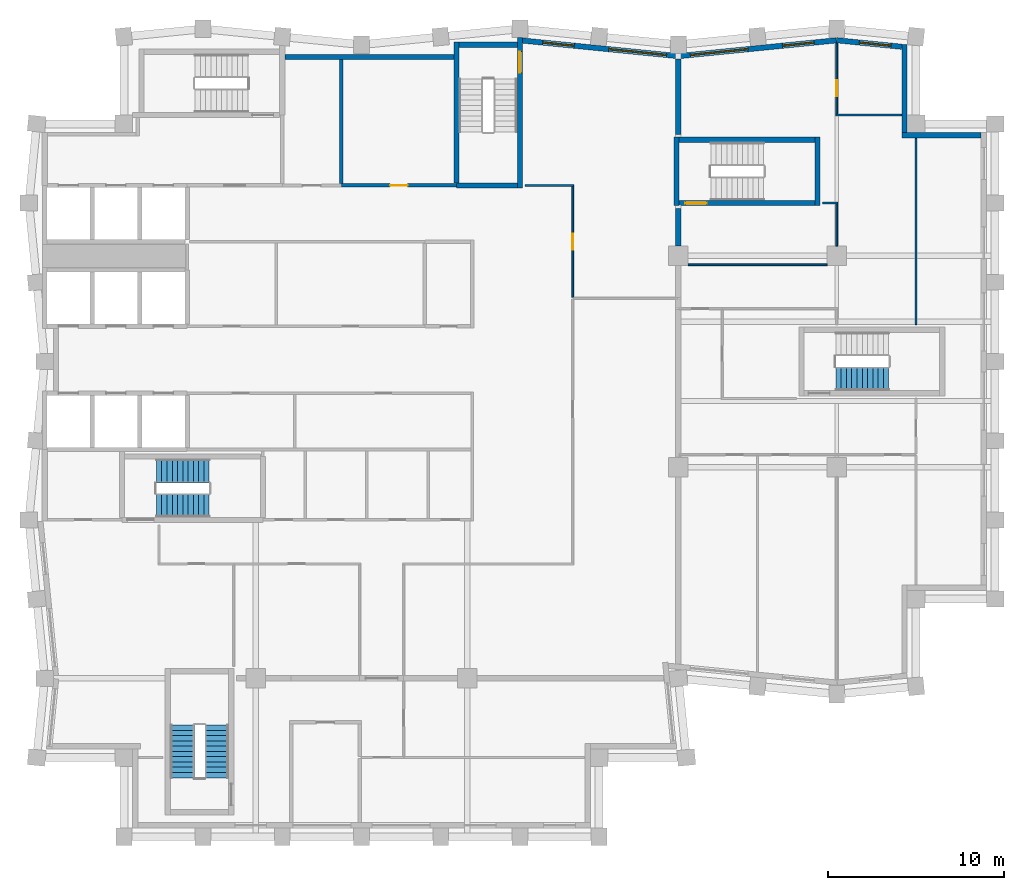
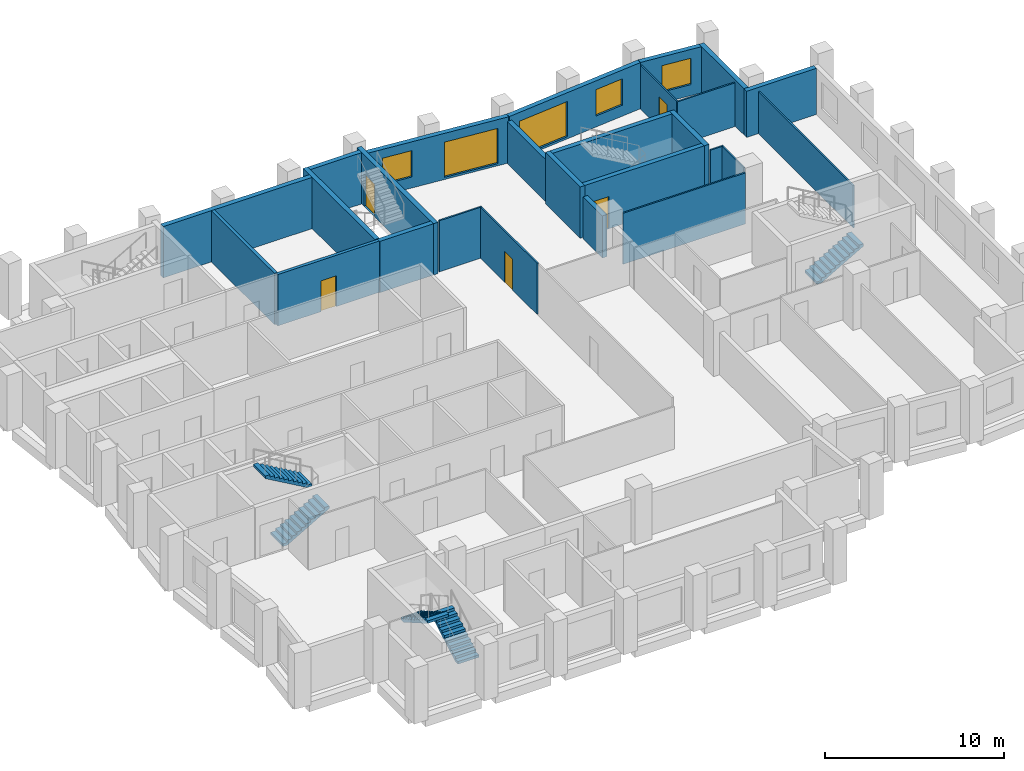
# One storey, part 6 of 8: 26 walls, 5 doors, 5 stair flights, 5 windows, 10 openings, 3 elements without a shape of their own.
"""IFC4 building model written with IfcOpenShell, lengths in metres."""

from ifc_helpers import new_model, si_unit, direction, frame, frame_2d, origin, place, context, subcontext, project, spatial, polyline, rectangle, outline, extrude, material, layer, layer_set, type_object, element, fill, aggregate, save


model = new_model("IFC4")

# Units and contexts
model_context = context("Model", 3, precision=1e-05, world=origin(), true_north=direction((0.0, 1.0)))
body_context = subcontext(model_context, "Body", "Model", "MODEL_VIEW")
ifc_project = project(units=[si_unit("LENGTHUNIT", "METRE"), si_unit("AREAUNIT", "SQUARE_METRE"), si_unit("VOLUMEUNIT", "CUBIC_METRE"), si_unit("PLANEANGLEUNIT", "RADIAN"), si_unit("MASSUNIT", "GRAM", prefix="KILO")], contexts=[model_context])

# Site, building, storey
site_placement = place(None, origin())
site = spatial("IfcSite", under=ifc_project, at=site_placement, CompositionType="ELEMENT")
building_placement = place(site_placement, origin())
building = spatial("IfcBuilding", under=site, at=building_placement, Name="Brondeck Convention Tower", CompositionType="ELEMENT")
storey_placement = place(building_placement, frame((0.0, 0.0, 221.60009765625)))
storey = spatial("IfcBuildingStorey", under=building, at=storey_placement, Name="L54", CompositionType="ELEMENT", Elevation=221.60009765625)

# Walls
ifc_material_1 = material(Name="Concrete compartment wall C30/37", Category="concrete")
ifc_layer_1 = layer(ifc_material_1, 0.300048828125)
ifc_layer_set_1 = layer_set([ifc_layer_1], Name="Compartment wall 300")
wall_type_1 = type_object("IfcWallType", Name="Compartment wall 300", PredefinedType="PARTITIONING", material=ifc_layer_set_1)
wall_1_placement = place(storey_placement, frame((36.0, 51.554931640625, 0.0), z_axis=(0.0, 0.0, 1.0), x_axis=(0.0, 1.0, 0.0)))
element("IfcWall", 1, at=wall_1_placement, inside=storey, type_object=wall_type_1, Name="FLR-L54-W048", PredefinedType="PARTITIONING", context=body_context, shape_type="SweptSolid", body=[
    extrude(rectangle(XDim=2.14501953125, YDim=0.300048828125, at=frame_2d((1.072509765625, 0.0))), origin(), (0.0, 0.0, 1.0), 2.8798828125),
])
wall_2_placement = place(storey_placement, frame((36.0, 57.89990234375, 0.0), z_axis=(0.0, 0.0, 1.0), x_axis=(0.0, 1.0, 0.0)))
element("IfcWall", 2, at=wall_2_placement, inside=storey, type_object=wall_type_1, Name="FLR-L54-W053", PredefinedType="PARTITIONING", context=body_context, shape_type="SweptSolid", body=[
    extrude(rectangle(XDim=4.2763671875, YDim=0.300048828125, at=frame_2d((2.13818359375, 0.0))), origin(), (0.0, 0.0, 1.0), 2.8798828125),
])
ifc_material_2 = material(Name="Concrete C50/60", Category="concrete")
ifc_layer_2 = layer(ifc_material_2, 0.300048828125)
ifc_layer_set_2 = layer_set([ifc_layer_2], Name="Core outer wall 300 Concrete C50/60")
wall_type_2 = type_object("IfcWallType", Name="Core outer wall 300 Concrete C50/60", PredefinedType="SHEAR", material=ifc_layer_set_2)
wall_3_placement = place(storey_placement, frame((13.64990234375, 62.300048828125, 0.0), z_axis=(0.0, 0.0, 1.0), x_axis=(1.0, 0.0, 0.0)))
element("IfcWall", 3, at=wall_3_placement, inside=storey, type_object=wall_type_2, Name="L54 core wall", PredefinedType="SHEAR", context=body_context, shape_type="SweptSolid", body=[
    extrude(rectangle(XDim=9.60009765625, YDim=0.300048828125, at=frame_2d((4.800048828125, 0.0))), origin(), (0.0, 0.0, 1.0), 3.5),
])
ifc_material_3 = material(Name="Precast concrete C50/60 bronze finish", Category="concrete")
ifc_layer_3 = layer(ifc_material_3, 0.070068359375, Name="Bronze precast facing")
ifc_material_4 = material(Name="Mineral wool")
ifc_layer_4 = layer(ifc_material_4, 0.159912109375, Name="Insulation")
ifc_material_5 = material(Name="Concrete C35/45", Category="concrete")
ifc_layer_5 = layer(ifc_material_5, 0.070068359375, Name="Backing")
ifc_layer_set_3 = layer_set([ifc_layer_3, ifc_layer_4, ifc_layer_5], Name="External infill wall, precast concrete C50/60 bronze facing")
wall_type_3 = type_object("IfcWallType", Name="External infill wall, precast concrete C50/60 bronze facing", PredefinedType="SOLIDWALL", material=ifc_layer_set_3)
wall_4_placement = place(storey_placement, frame((48.699951171875, 57.85009765625, 0.0), z_axis=(0.0, 0.0, 1.0), x_axis=(1.0, 0.0, 0.0)))
element("IfcWall", 4, at=wall_4_placement, inside=storey, type_object=wall_type_3, Name="ENV-EW-L54-P2-NC-NEA54-01", PredefinedType="SOLIDWALL", context=body_context, shape_type="SweptSolid", body=[
    extrude(rectangle(XDim=4.501953125, YDim=0.300048828125, at=frame_2d((2.2509765625, 0.0))), origin(), (0.0, 0.0, 1.0), 3.14990234375),
])
wall_5_placement = place(storey_placement, frame((48.85009765625, 62.99755859375, 0.0), z_axis=(0.0, 0.0, 1.0), x_axis=(0.0, -1.0, 0.0)))
element("IfcWall", 5, at=wall_5_placement, inside=storey, type_object=wall_type_3, Name="ENV-EW-L54-P2-NC-NEA54-02", PredefinedType="SOLIDWALL", context=body_context, shape_type="SweptSolid", body=[
    extrude(rectangle(XDim=4.99951171875, YDim=0.300048828125, at=frame_2d((2.499755859375, 0.0))), origin(), (0.0, 0.0, 1.0), 3.14990234375),
])

# Wall, opening, window
wall_6_placement = place(storey_placement, frame((44.985107421875, 63.248291015625, 0.0), z_axis=(0.0, 0.0, 1.0), x_axis=(0.995037837869, -0.099497242219, 0.0)))
wall_6 = element("IfcWall", 6, at=wall_6_placement, inside=storey, type_object=wall_type_3, Name="ENV-EW-L54-P2-A-N-10", PredefinedType="SOLIDWALL", context=body_context, shape_type="SweptSolid", body=[
    extrude(rectangle(XDim=3.732177734375, YDim=0.300048828125, at=frame_2d((1.8662109375, 0.0))), origin(), (0.0, 0.0, 1.0), 3.14990234375),
])
opening_1_placement = place(wall_6_placement, frame((1.311279296875, 0.0, 0.75)))
opening_1 = element("IfcOpeningElement", 7, at=opening_1_placement, cuts=wall_6, Name="Opening W10", PredefinedType="OPENING", context=body_context, shape_type="SweptSolid", body=[
    extrude(rectangle(XDim=1.800048828125, YDim=1.800048828125, at=frame_2d((0.89990234375, 0.89990234375))), frame((0.0, 0.159912109375, 0.0), z_axis=(0.0, -1.0, 0.0), x_axis=(1.0, 0.0, 0.0)), (0.0, 0.0, 1.0), 0.320068359375),
])
ifc_material_6 = material(Name="Bronze tinted double glazing", Category="glass")
window_type_1 = type_object("IfcWindowType", Name="Punched window, bronze tinted", PartitioningType="SINGLE_PANEL", PredefinedType="WINDOW", material=ifc_material_6)
window_1_placement = place(opening_1_placement, origin())
window_1 = element("IfcWindow", 8, at=window_1_placement, inside=storey, type_object=window_type_1, Name="ENV-WN-L54-P2-A-N-10", OverallHeight=1.800048828125, OverallWidth=1.800048828125, PartitioningType="SINGLE_PANEL", PredefinedType="WINDOW", context=body_context, shape_type="SweptSolid", body=[
    extrude(rectangle(XDim=1.800048828125, YDim=1.800048828125, at=frame_2d((0.89990234375, 0.89990234375))), frame((0.0, 0.030029296875, 0.0), z_axis=(0.0, -1.0, 0.0), x_axis=(1.0, 0.0, 0.0)), (0.0, 0.0, 1.0), 0.06005859375),
])
fill(opening_1, window_1)

# Wall, openings, windows
wall_7_placement = place(storey_placement, frame((35.985107421875, 62.34521484375, 0.0), z_axis=(0.0, 0.0, 1.0), x_axis=(0.995035316196, 0.099522457379, 0.0)))
wall_7 = element("IfcWall", 9, at=wall_7_placement, inside=storey, type_object=wall_type_3, Name="ENV-EW-L54-P2-A-N-09", PredefinedType="SOLIDWALL", context=body_context, shape_type="SweptSolid", body=[
    extrude(rectangle(XDim=9.030029296875, YDim=0.300048828125, at=frame_2d((4.51513671875, 0.0))), origin(), (0.0, 0.0, 1.0), 3.14990234375),
])
opening_2_placement = place(wall_7_placement, frame((0.691162109375, 0.0, 0.14990234375)))
opening_2 = element("IfcOpeningElement", 10, at=opening_2_placement, cuts=wall_7, Name="Opening W9", PredefinedType="OPENING", context=body_context, shape_type="SweptSolid", body=[
    extrude(rectangle(XDim=3.300048828125, YDim=2.39990234375, at=frame_2d((1.64990234375, 1.199951171875))), frame((0.0, 0.159912109375, 0.0), z_axis=(0.0, -1.0, 0.0), x_axis=(1.0, 0.0, 0.0)), (0.0, 0.0, 1.0), 0.320068359375),
])
opening_3_placement = place(wall_7_placement, frame((5.963623046875, 0.0, 0.75)))
opening_3 = element("IfcOpeningElement", 11, at=opening_3_placement, cuts=wall_7, Name="Opening W10", PredefinedType="OPENING", context=body_context, shape_type="SweptSolid", body=[
    extrude(rectangle(XDim=1.800048828125, YDim=1.800048828125, at=frame_2d((0.89990234375, 0.89990234375))), frame((0.0, 0.159912109375, 0.0), z_axis=(0.0, -1.0, 0.0), x_axis=(1.0, 0.0, 0.0)), (0.0, 0.0, 1.0), 0.320068359375),
])
window_type_2 = type_object("IfcWindowType", Name="Glazed flute window, bronze tinted", PartitioningType="SINGLE_PANEL", PredefinedType="WINDOW", material=ifc_material_6)
window_2_placement = place(opening_2_placement, origin())
window_2 = element("IfcWindow", 12, at=window_2_placement, inside=storey, type_object=window_type_2, Name="ENV-WN-L54-P2-A-N-08", OverallHeight=2.39990234375, OverallWidth=3.300048828125, PartitioningType="SINGLE_PANEL", PredefinedType="WINDOW", context=body_context, shape_type="SweptSolid", body=[
    extrude(rectangle(XDim=3.300048828125, YDim=2.39990234375, at=frame_2d((1.64990234375, 1.199951171875))), frame((0.0, 0.030029296875, 0.0), z_axis=(0.0, -1.0, 0.0), x_axis=(1.0, 0.0, 0.0)), (0.0, 0.0, 1.0), 0.06005859375),
])
fill(opening_2, window_2)
window_3_placement = place(opening_3_placement, origin())
window_3 = element("IfcWindow", 13, at=window_3_placement, inside=storey, type_object=window_type_1, Name="ENV-WN-L54-P2-A-N-09", OverallHeight=1.800048828125, OverallWidth=1.800048828125, PartitioningType="SINGLE_PANEL", PredefinedType="WINDOW", context=body_context, shape_type="SweptSolid", body=[
    extrude(rectangle(XDim=1.800048828125, YDim=1.800048828125, at=frame_2d((0.89990234375, 0.89990234375))), frame((0.0, 0.030029296875, 0.0), z_axis=(0.0, -1.0, 0.0), x_axis=(1.0, 0.0, 0.0)), (0.0, 0.0, 1.0), 0.06005859375),
])
fill(opening_3, window_3)

wall_8_placement = place(storey_placement, frame((27.084716796875, 63.23828125, 0.0), z_axis=(0.0, 0.0, 1.0), x_axis=(0.995035836657, -0.099517253618, 0.0)))
wall_8 = element("IfcWall", 14, at=wall_8_placement, inside=storey, type_object=wall_type_3, Name="ENV-EW-L54-P2-A-N-07", PredefinedType="SOLIDWALL", context=body_context, shape_type="SweptSolid", body=[
    extrude(rectangle(XDim=8.929931640625, YDim=0.300048828125, at=frame_2d((4.46484375, 0.0))), origin(), (0.0, 0.0, 1.0), 3.14990234375),
])
opening_4_placement = place(wall_8_placement, frame((1.211181640625, 0.0, 0.75)))
opening_4 = element("IfcOpeningElement", 15, at=opening_4_placement, cuts=wall_8, Name="Opening W10", PredefinedType="OPENING", context=body_context, shape_type="SweptSolid", body=[
    extrude(rectangle(XDim=1.800048828125, YDim=1.800048828125, at=frame_2d((0.89990234375, 0.89990234375))), frame((0.0, 0.159912109375, 0.0), z_axis=(0.0, -1.0, 0.0), x_axis=(1.0, 0.0, 0.0)), (0.0, 0.0, 1.0), 0.320068359375),
])
opening_5_placement = place(wall_8_placement, frame((4.983642578125, 0.0, 0.14990234375)))
opening_5 = element("IfcOpeningElement", 16, at=opening_5_placement, cuts=wall_8, Name="Opening W9", PredefinedType="OPENING", context=body_context, shape_type="SweptSolid", body=[
    extrude(rectangle(XDim=3.300048828125, YDim=2.39990234375, at=frame_2d((1.64990234375, 1.199951171875))), frame((0.0, 0.159912109375, 0.0), z_axis=(0.0, -1.0, 0.0), x_axis=(1.0, 0.0, 0.0)), (0.0, 0.0, 1.0), 0.320068359375),
])
window_4_placement = place(opening_5_placement, origin())
window_4 = element("IfcWindow", 17, at=window_4_placement, inside=storey, type_object=window_type_2, Name="ENV-WN-L54-P2-A-N-07", OverallHeight=2.39990234375, OverallWidth=3.300048828125, PartitioningType="SINGLE_PANEL", PredefinedType="WINDOW", context=body_context, shape_type="SweptSolid", body=[
    extrude(rectangle(XDim=3.300048828125, YDim=2.39990234375, at=frame_2d((1.64990234375, 1.199951171875))), frame((0.0, 0.030029296875, 0.0), z_axis=(0.0, -1.0, 0.0), x_axis=(1.0, 0.0, 0.0)), (0.0, 0.0, 1.0), 0.06005859375),
])
fill(opening_5, window_4)
window_5_placement = place(opening_4_placement, origin())
window_5 = element("IfcWindow", 18, at=window_5_placement, inside=storey, type_object=window_type_1, Name="ENV-WN-L54-P2-A-N-06", OverallHeight=1.800048828125, OverallWidth=1.800048828125, PartitioningType="SINGLE_PANEL", PredefinedType="WINDOW", context=body_context, shape_type="SweptSolid", body=[
    extrude(rectangle(XDim=1.800048828125, YDim=1.800048828125, at=frame_2d((0.89990234375, 0.89990234375))), frame((0.0, 0.030029296875, 0.0), z_axis=(0.0, -1.0, 0.0), x_axis=(1.0, 0.0, 0.0)), (0.0, 0.0, 1.0), 0.06005859375),
])
fill(opening_4, window_5)

# Wall, opening, door
ifc_material_7 = material(Name="Fire-rated gypsum board partition")
ifc_layer_6 = layer(ifc_material_7, 0.199951171875)
ifc_layer_set_4 = layer_set([ifc_layer_6], Name="Riser wall 200 EI 120")
wall_type_4 = type_object("IfcWallType", Name="Riser wall 200 EI 120", PredefinedType="PARTITIONING", material=ifc_layer_set_4)
wall_9_placement = place(storey_placement, frame((16.85009765625, 55.0, 0.0), z_axis=(0.0, 0.0, 1.0), x_axis=(1.0, 0.0, 0.0)))
wall_9 = element("IfcWall", 19, at=wall_9_placement, inside=storey, type_object=wall_type_4, Name="L54 core wall", PredefinedType="PARTITIONING", context=body_context, shape_type="SweptSolid", body=[
    extrude(rectangle(XDim=6.5498046875, YDim=0.199951171875, at=frame_2d((3.27490234375, 0.0))), origin(), (0.0, 0.0, 1.0), 3.5),
])
opening_6_placement = place(wall_9_placement, frame((2.77490234375, 0.0, 0.0)))
opening_6 = element("IfcOpeningElement", 20, at=opening_6_placement, cuts=wall_9, Name="Opening C30-13", PredefinedType="OPENING", context=body_context, shape_type="SweptSolid", body=[
    extrude(rectangle(XDim=1.0, YDim=2.10009765625, at=frame_2d((0.5, 1.050048828125))), frame((0.0, 0.10986328125, 0.0), z_axis=(0.0, -1.0, 0.0), x_axis=(1.0, 0.0, 0.0)), (0.0, 0.0, 1.0), 0.219970703125),
])
ifc_material_8 = material(Name="Steel fire door", Category="steel")
door_type_1 = type_object("IfcDoorType", Name="Riser door 1000x2100 EI 120", OperationType="NOTDEFINED", PredefinedType="DOOR", material=ifc_material_8)
door_1_placement = place(opening_6_placement, origin())
door_1 = element("IfcDoor", 21, at=door_1_placement, inside=storey, type_object=door_type_1, Name="L54 Riser door NE-2", OperationType="SINGLE_SWING_RIGHT", OverallHeight=2.10009765625, OverallWidth=1.0, PredefinedType="DOOR", context=body_context, shape_type="SweptSolid", body=[
    extrude(rectangle(XDim=1.0, YDim=2.10009765625, at=frame_2d((0.5, 1.050048828125))), frame((0.0, 0.02490234375, 0.0), z_axis=(0.0, -1.0, 0.0), x_axis=(1.0, 0.0, 0.0)), (0.0, 0.0, 1.0), 0.050048828125),
])
fill(opening_6, door_1)

# Walls
wall_10_placement = place(storey_placement, frame((16.85009765625, 55.10009765625, 0.0), z_axis=(0.0, 0.0, 1.0), x_axis=(0.0, 1.0, 0.0)))
element("IfcWall", 22, at=wall_10_placement, inside=storey, type_object=wall_type_4, Name="L54 core wall", PredefinedType="PARTITIONING", context=body_context, shape_type="SweptSolid", body=[
    extrude(rectangle(XDim=7.0498046875, YDim=0.199951171875, at=frame_2d((3.52490234375, 0.0))), origin(), (0.0, 0.0, 1.0), 3.5),
])
ifc_material_9 = material(Name="Gypsum board partition on steel studs", Category="steel")
ifc_layer_7 = layer(ifc_material_9, 0.10009765625)
ifc_layer_set_5 = layer_set([ifc_layer_7], Name="Room partition 100")
wall_type_5 = type_object("IfcWallType", Name="Room partition 100", PredefinedType="PARTITIONING", material=ifc_layer_set_5)
wall_11_placement = place(storey_placement, frame((49.5, 47.10009765625, 0.0), z_axis=(0.0, 0.0, 1.0), x_axis=(0.0, 1.0, 0.0)))
element("IfcWall", 23, at=wall_11_placement, inside=storey, type_object=wall_type_5, Name="FLR-L54-W038", PredefinedType="PARTITIONING", context=body_context, shape_type="SweptSolid", body=[
    extrude(rectangle(XDim=10.579833984375, YDim=0.10009765625, at=frame_2d((5.2900390625, 0.0))), origin(), (0.0, 0.0, 1.0), 2.8798828125),
])
wall_12_placement = place(storey_placement, frame((44.445068359375, 50.5, 0.0), z_axis=(0.0, 0.0, 1.0), x_axis=(-1.0, 0.0, 0.0)))
element("IfcWall", 24, at=wall_12_placement, inside=storey, type_object=wall_type_5, Name="FLR-L54-W047", PredefinedType="PARTITIONING", context=body_context, shape_type="SweptSolid", body=[
    extrude(rectangle(XDim=7.89013671875, YDim=0.10009765625, at=frame_2d((3.945068359375, 0.0))), origin(), (0.0, 0.0, 1.0), 3.47998046875),
])
wall_13_placement = place(storey_placement, frame((45.0, 53.949951171875, 0.0), z_axis=(0.0, 0.0, 1.0), x_axis=(0.0, -1.0, 0.0)))
element("IfcWall", 25, at=wall_13_placement, inside=storey, type_object=wall_type_5, Name="FLR-L54-W049", PredefinedType="PARTITIONING", context=body_context, shape_type="SweptSolid", body=[
    extrude(rectangle(XDim=2.39501953125, YDim=0.10009765625, at=frame_2d((1.197509765625, 0.0))), origin(), (0.0, 0.0, 1.0), 2.97998046875),
])
wall_14_placement = place(storey_placement, frame((44.199951171875, 54.0, 0.0), z_axis=(0.0, 0.0, 1.0), x_axis=(1.0, 0.0, 0.0)))
element("IfcWall", 26, at=wall_14_placement, inside=storey, type_object=wall_type_5, Name="FLR-L54-W050", PredefinedType="PARTITIONING", context=body_context, shape_type="SweptSolid", body=[
    extrude(rectangle(XDim=0.85009765625, YDim=0.10009765625, at=frame_2d((0.425048828125, 0.0))), origin(), (0.0, 0.0, 1.0), 2.97998046875),
])

# Wall, opening, door
wall_15_placement = place(storey_placement, frame((30.0, 54.949951171875, 0.0), z_axis=(0.0, 0.0, 1.0), x_axis=(0.0, -1.0, 0.0)))
wall_15 = element("IfcWall", 27, at=wall_15_placement, inside=storey, type_object=wall_type_5, Name="FLR-L54-W051", PredefinedType="PARTITIONING", context=body_context, shape_type="SweptSolid", body=[
    extrude(rectangle(XDim=6.31201171875, YDim=0.10009765625, at=frame_2d((3.156005859375, 0.0))), origin(), (0.0, 0.0, 1.0), 3.47998046875),
])
opening_7_placement = place(wall_15_placement, frame((2.7060546875, 0.0, 0.0)))
opening_7 = element("IfcOpeningElement", 28, at=opening_7_placement, cuts=wall_15, Name="Opening OF-M-014", PredefinedType="OPENING", context=body_context, shape_type="SweptSolid", body=[
    extrude(rectangle(XDim=0.89990234375, YDim=2.10009765625, at=frame_2d((0.449951171875, 1.050048828125))), frame((0.0, 0.06005859375, 0.0), z_axis=(0.0, -1.0, 0.0), x_axis=(1.0, 0.0, 0.0)), (0.0, 0.0, 1.0), 0.1201171875),
])
ifc_material_10 = material(Name="Solid timber door leaf", Category="wood")
door_type_2 = type_object("IfcDoorType", Name="Single door 900", OperationType="NOTDEFINED", PredefinedType="DOOR", material=ifc_material_10)
door_2_placement = place(opening_7_placement, origin())
door_2 = element("IfcDoor", 29, at=door_2_placement, inside=storey, type_object=door_type_2, Name="Door OF-M-014", OperationType="SINGLE_SWING_LEFT", OverallHeight=2.10009765625, OverallWidth=0.89990234375, PredefinedType="DOOR", context=body_context, shape_type="SweptSolid", body=[
    extrude(rectangle(XDim=0.89990234375, YDim=2.10009765625, at=frame_2d((0.449951171875, 1.050048828125))), frame((0.0, 0.02490234375, 0.0), z_axis=(0.0, -1.0, 0.0), x_axis=(1.0, 0.0, 0.0)), (0.0, 0.0, 1.0), 0.050048828125),
])
fill(opening_7, door_2)

# Walls
wall_16_placement = place(storey_placement, frame((27.300048828125, 55.0, 0.0), z_axis=(0.0, 0.0, 1.0), x_axis=(1.0, 0.0, 0.0)))
element("IfcWall", 30, at=wall_16_placement, inside=storey, type_object=wall_type_5, Name="FLR-L54-W052", PredefinedType="PARTITIONING", context=body_context, shape_type="SweptSolid", body=[
    extrude(rectangle(XDim=2.75, YDim=0.10009765625, at=frame_2d((1.375, 0.0))), origin(), (0.0, 0.0, 1.0), 3.47998046875),
])
wall_17_placement = place(storey_placement, frame((44.949951171875, 59.0, 0.0), z_axis=(0.0, 0.0, 1.0), x_axis=(1.0, 0.0, 0.0)))
element("IfcWall", 31, at=wall_17_placement, inside=storey, type_object=wall_type_5, Name="FLR-L54-W054", PredefinedType="PARTITIONING", context=body_context, shape_type="SweptSolid", body=[
    extrude(rectangle(XDim=3.72998046875, YDim=0.10009765625, at=frame_2d((1.864990234375, 0.0))), origin(), (0.0, 0.0, 1.0), 2.97998046875),
])

# Wall, opening, door
wall_18_placement = place(storey_placement, frame((45.0, 63.076171875, 0.0), z_axis=(0.0, 0.0, 1.0), x_axis=(0.0, -1.0, 0.0)))
wall_18 = element("IfcWall", 32, at=wall_18_placement, inside=storey, type_object=wall_type_5, Name="FLR-L54-W056", PredefinedType="PARTITIONING", context=body_context, shape_type="SweptSolid", body=[
    extrude(rectangle(XDim=4.026123046875, YDim=0.10009765625, at=frame_2d((2.01318359375, 0.0))), origin(), (0.0, 0.0, 1.0), 2.97998046875),
])
opening_8_placement = place(wall_18_placement, frame((2.10107421875, 0.0, 0.0)))
opening_8 = element("IfcOpeningElement", 33, at=opening_8_placement, cuts=wall_18, Name="Opening OF-M-008", PredefinedType="OPENING", context=body_context, shape_type="SweptSolid", body=[
    extrude(rectangle(XDim=0.89990234375, YDim=2.10009765625, at=frame_2d((0.449951171875, 1.050048828125))), frame((0.0, 0.06005859375, 0.0), z_axis=(0.0, -1.0, 0.0), x_axis=(1.0, 0.0, 0.0)), (0.0, 0.0, 1.0), 0.1201171875),
])
door_3_placement = place(opening_8_placement, origin())
door_3 = element("IfcDoor", 34, at=door_3_placement, inside=storey, type_object=door_type_2, Name="Door OF-M-008", OperationType="SINGLE_SWING_LEFT", OverallHeight=2.10009765625, OverallWidth=0.89990234375, PredefinedType="DOOR", context=body_context, shape_type="SweptSolid", body=[
    extrude(rectangle(XDim=0.89990234375, YDim=2.10009765625, at=frame_2d((0.449951171875, 1.050048828125))), frame((0.0, 0.02490234375, 0.0), z_axis=(0.0, -1.0, 0.0), x_axis=(1.0, 0.0, 0.0)), (0.0, 0.0, 1.0), 0.050048828125),
])
fill(opening_8, door_3)

ifc_layer_8 = layer(ifc_material_2, 0.300048828125)
ifc_layer_set_6 = layer_set([ifc_layer_8], Name="Stair enclosure wall 300 Concrete C50/60")
wall_type_6 = type_object("IfcWallType", Name="Stair enclosure wall 300 Concrete C50/60", PredefinedType="SHEAR", material=ifc_layer_set_6)
wall_19_placement = place(storey_placement, frame((36.050048828125, 54.0, 0.0), z_axis=(0.0, 0.0, 1.0), x_axis=(1.0, 0.0, 0.0)))
wall_19 = element("IfcWall", 35, at=wall_19_placement, inside=storey, type_object=wall_type_6, Name="L54 core wall", PredefinedType="SHEAR", context=body_context, shape_type="SweptSolid", body=[
    extrude(rectangle(XDim=7.699951171875, YDim=0.300048828125, at=frame_2d((3.85009765625, 0.0))), origin(), (0.0, 0.0, 1.0), 3.5),
])
opening_9_placement = place(wall_19_placement, frame((0.35009765625, 0.0, 0.0)))
opening_9 = element("IfcOpeningElement", 36, at=opening_9_placement, cuts=wall_19, Name="Opening C30-17", PredefinedType="OPENING", context=body_context, shape_type="SweptSolid", body=[
    extrude(rectangle(XDim=1.199951171875, YDim=2.199951171875, at=frame_2d((0.60009765625, 1.10009765625))), frame((0.0, 0.159912109375, 0.0), z_axis=(0.0, -1.0, 0.0), x_axis=(1.0, 0.0, 0.0)), (0.0, 0.0, 1.0), 0.320068359375),
])
door_type_3 = type_object("IfcDoorType", Name="Stair door 1200x2200 EI 90", OperationType="NOTDEFINED", PredefinedType="DOOR", material=ifc_material_8)
door_4_placement = place(opening_9_placement, origin())
door_4 = element("IfcDoor", 37, at=door_4_placement, inside=storey, type_object=door_type_3, Name="L54 Stair door ST-AE", OperationType="SINGLE_SWING_LEFT", OverallHeight=2.199951171875, OverallWidth=1.199951171875, PredefinedType="DOOR", context=body_context, shape_type="SweptSolid", body=[
    extrude(rectangle(XDim=1.199951171875, YDim=2.199951171875, at=frame_2d((0.60009765625, 1.10009765625))), frame((0.0, 0.02490234375, 0.0), z_axis=(0.0, -1.0, 0.0), x_axis=(1.0, 0.0, 0.0)), (0.0, 0.0, 1.0), 0.050048828125),
])
fill(opening_9, door_4)

# Walls
wall_20_placement = place(storey_placement, frame((23.39990234375, 55.0, 0.0), z_axis=(0.0, 0.0, 1.0), x_axis=(1.0, 0.0, 0.0)))
element("IfcWall", 38, at=wall_20_placement, inside=storey, type_object=wall_type_6, Name="L54 core wall", PredefinedType="SHEAR", context=body_context, shape_type="SweptSolid", body=[
    extrude(rectangle(XDim=3.4501953125, YDim=0.300048828125, at=frame_2d((1.72509765625, 0.0))), origin(), (0.0, 0.0, 1.0), 3.5),
])
wall_21_placement = place(storey_placement, frame((36.050048828125, 57.60009765625, 0.0), z_axis=(0.0, 0.0, 1.0), x_axis=(1.0, 0.0, 0.0)))
element("IfcWall", 39, at=wall_21_placement, inside=storey, type_object=wall_type_6, Name="L54 core wall", PredefinedType="SHEAR", context=body_context, shape_type="SweptSolid", body=[
    extrude(rectangle(XDim=7.699951171875, YDim=0.300048828125, at=frame_2d((3.85009765625, 0.0))), origin(), (0.0, 0.0, 1.0), 3.5),
])
wall_22_placement = place(storey_placement, frame((23.550048828125, 63.0, 0.0), z_axis=(0.0, 0.0, 1.0), x_axis=(1.0, 0.0, 0.0)))
element("IfcWall", 40, at=wall_22_placement, inside=storey, type_object=wall_type_6, Name="L54 core wall", PredefinedType="SHEAR", context=body_context, shape_type="SweptSolid", body=[
    extrude(rectangle(XDim=3.300048828125, YDim=0.300048828125, at=frame_2d((1.64990234375, 0.0))), origin(), (0.0, 0.0, 1.0), 3.5),
])
wall_23_placement = place(storey_placement, frame((23.39990234375, 55.14990234375, 0.0), z_axis=(0.0, 0.0, 1.0), x_axis=(0.0, 1.0, 0.0)))
element("IfcWall", 41, at=wall_23_placement, inside=storey, type_object=wall_type_6, Name="L54 core wall", PredefinedType="SHEAR", context=body_context, shape_type="SweptSolid", body=[
    extrude(rectangle(XDim=8.0, YDim=0.300048828125, at=frame_2d((4.0, 0.0))), origin(), (0.0, 0.0, 1.0), 3.5),
])

# Wall, opening, door
wall_24_placement = place(storey_placement, frame((27.0, 54.85009765625, 0.0), z_axis=(0.0, 0.0, 1.0), x_axis=(0.0, 1.0, 0.0)))
wall_24 = element("IfcWall", 42, at=wall_24_placement, inside=storey, type_object=wall_type_6, Name="L54 core wall", PredefinedType="SHEAR", context=body_context, shape_type="SweptSolid", body=[
    extrude(rectangle(XDim=8.5498046875, YDim=0.300048828125, at=frame_2d((4.27490234375, 0.0))), origin(), (0.0, 0.0, 1.0), 3.5),
])
opening_10_placement = place(wall_24_placement, frame((6.550048828125, 0.0, 0.0)))
opening_10 = element("IfcOpeningElement", 43, at=opening_10_placement, cuts=wall_24, Name="Opening C30-15", PredefinedType="OPENING", context=body_context, shape_type="SweptSolid", body=[
    extrude(rectangle(XDim=1.199951171875, YDim=2.199951171875, at=frame_2d((0.60009765625, 1.10009765625))), frame((0.0, 0.159912109375, 0.0), z_axis=(0.0, -1.0, 0.0), x_axis=(1.0, 0.0, 0.0)), (0.0, 0.0, 1.0), 0.320068359375),
])
door_5_placement = place(opening_10_placement, origin())
door_5 = element("IfcDoor", 44, at=door_5_placement, inside=storey, type_object=door_type_3, Name="L54 Stair door ST-2", OperationType="SINGLE_SWING_LEFT", OverallHeight=2.199951171875, OverallWidth=1.199951171875, PredefinedType="DOOR", context=body_context, shape_type="SweptSolid", body=[
    extrude(rectangle(XDim=1.199951171875, YDim=2.199951171875, at=frame_2d((0.60009765625, 1.10009765625))), frame((0.0, 0.02490234375, 0.0), z_axis=(0.0, -1.0, 0.0), x_axis=(1.0, 0.0, 0.0)), (0.0, 0.0, 1.0), 0.050048828125),
])
fill(opening_10, door_5)

# Walls
for number, where, z_axis, x_axis, name in (
    (45, (35.89990234375, 53.85009765625, 0.0), (0.0, 0.0, 1.0), (0.0, 1.0, 0.0), "L54 core wall"),
    (46, (43.89990234375, 53.85009765625, 0.0), (0.0, 0.0, 1.0), (0.0, 1.0, 0.0), "L54 core wall"),
):
    element("IfcWall", number, at=place(storey_placement, frame(where, z_axis=z_axis, x_axis=x_axis)), inside=storey, type_object=wall_type_6, Name=name, PredefinedType="SHEAR", context=body_context, shape_type="SweptSolid", body=[
        extrude(rectangle(XDim=3.89990234375, YDim=0.300048828125, at=frame_2d((1.949951171875, 0.0))), origin(), (0.0, 0.0, 1.0), 3.5),
    ])

# Stair, stair flights
ifc_material_11 = material(Name="Precast concrete C50/60", Category="concrete")
stair_type = type_object("IfcStairType", Name="Core stair 22 risers 172.73 mm riser 300 mm going 1350 wide", PredefinedType="HALF_TURN_STAIR", material=ifc_material_11)
stair_1_placement = place(storey_placement, origin())
stair_1 = element("IfcStair", 47, at=stair_1_placement, inside=storey, type_object=stair_type, Name="ST-1 L54 stair", PredefinedType="HALF_TURN_STAIR")
stair_flight_type = type_object("IfcStairFlightType", Name="Core stair flight 22 risers 172.73 mm riser 300 mm going 1350 wide", PredefinedType="STRAIGHT", material=ifc_material_11)
stair_flight_1_placement = place(storey_placement, frame((6.35009765625, 36.824951171875, 0.0), z_axis=(0.0, 0.0, 1.0), x_axis=(1.0, 0.0, 0.0)))
stair_flight_1 = element("IfcStairFlight", 48, at=stair_flight_1_placement, type_object=stair_flight_type, Name="ST-1 flight 1", NumberOfRisers=11, NumberOfTreads=10, PredefinedType="STRAIGHT", RiserHeight=0.172727273, TreadLength=0.3, context=body_context, shape_type="SweptSolid", body=[
    extrude(outline(polyline([(0.0, 0.0), (0.0, 0.172607421875), (0.300048828125, 0.172607421875), (0.300048828125, 0.345458984375), (0.60009765625, 0.345458984375), (0.60009765625, 0.51806640625), (0.89990234375, 0.51806640625), (0.89990234375, 0.69091796875), (1.199951171875, 0.69091796875), (1.199951171875, 0.863525390625), (1.5, 0.863525390625), (1.5, 1.036376953125), (1.800048828125, 1.036376953125), (1.800048828125, 1.208984375), (2.10009765625, 1.208984375), (2.10009765625, 1.3818359375), (2.39990234375, 1.3818359375), (2.39990234375, 1.554443359375), (2.699951171875, 1.554443359375), (2.699951171875, 1.727294921875), (3.0, 1.727294921875), (3.0, 1.89990234375), (3.0, 1.55419921875), (0.300537109375, 0.0), (0.0, 0.0)])), frame((0.0, 0.675048828125, 0.0), z_axis=(0.0, -1.0, 0.0), x_axis=(1.0, 0.0, 0.0)), (0.0, 0.0, 1.0), 1.35009765625),
])
stair_flight_2_placement = place(storey_placement, frame((9.35009765625, 38.77490234375, 1.89990234375), z_axis=(0.0, 0.0, 1.0), x_axis=(-1.0, 0.0, 0.0)))
stair_flight_2 = element("IfcStairFlight", 49, at=stair_flight_2_placement, type_object=stair_flight_type, Name="ST-1 flight 2", NumberOfRisers=11, NumberOfTreads=10, PredefinedType="STRAIGHT", RiserHeight=0.172727273, TreadLength=0.3, context=body_context, shape_type="SweptSolid", body=[
    extrude(outline(polyline([(0.0, 0.0), (0.0, 0.172607421875), (0.300048828125, 0.172607421875), (0.300048828125, 0.345458984375), (0.60009765625, 0.345458984375), (0.60009765625, 0.51806640625), (0.89990234375, 0.51806640625), (0.89990234375, 0.69091796875), (1.199951171875, 0.69091796875), (1.199951171875, 0.863525390625), (1.5, 0.863525390625), (1.5, 1.036376953125), (1.800048828125, 1.036376953125), (1.800048828125, 1.208984375), (2.10009765625, 1.208984375), (2.10009765625, 1.3818359375), (2.39990234375, 1.3818359375), (2.39990234375, 1.554443359375), (2.699951171875, 1.554443359375), (2.699951171875, 1.727294921875), (3.0, 1.727294921875), (3.0, 1.89990234375), (3.0, 1.55419921875), (0.300537109375, 0.0), (0.0, 0.0)])), frame((0.0, 0.675048828125, 0.0), z_axis=(0.0, -1.0, 0.0), x_axis=(1.0, 0.0, 0.0)), (0.0, 0.0, 1.0), 1.35009765625),
])
aggregate(stair_1, [stair_flight_1, stair_flight_2])

stair_2_placement = place(storey_placement, origin())
stair_2 = element("IfcStair", 50, at=stair_2_placement, inside=storey, type_object=stair_type, Name="ST-BE L54 stair", PredefinedType="HALF_TURN_STAIR")
stair_flight_3_placement = place(storey_placement, frame((9.77490234375, 21.35009765625, 0.0), z_axis=(0.0, 0.0, 1.0), x_axis=(0.0, 1.0, 0.0)))
stair_flight_3 = element("IfcStairFlight", 51, at=stair_flight_3_placement, type_object=stair_flight_type, Name="ST-BE flight 1", NumberOfRisers=11, NumberOfTreads=10, PredefinedType="STRAIGHT", RiserHeight=0.172727273, TreadLength=0.3, context=body_context, shape_type="SweptSolid", body=[
    extrude(outline(polyline([(0.0, 0.0), (0.0, 0.172607421875), (0.300048828125, 0.172607421875), (0.300048828125, 0.345458984375), (0.60009765625, 0.345458984375), (0.60009765625, 0.51806640625), (0.89990234375, 0.51806640625), (0.89990234375, 0.69091796875), (1.199951171875, 0.69091796875), (1.199951171875, 0.863525390625), (1.5, 0.863525390625), (1.5, 1.036376953125), (1.800048828125, 1.036376953125), (1.800048828125, 1.208984375), (2.10009765625, 1.208984375), (2.10009765625, 1.3818359375), (2.39990234375, 1.3818359375), (2.39990234375, 1.554443359375), (2.699951171875, 1.554443359375), (2.699951171875, 1.727294921875), (3.0, 1.727294921875), (3.0, 1.89990234375), (3.0, 1.55419921875), (0.300537109375, 0.0), (0.0, 0.0)])), frame((0.0, 0.675048828125, 0.0), z_axis=(0.0, -1.0, 0.0), x_axis=(1.0, 0.0, 0.0)), (0.0, 0.0, 1.0), 1.35009765625),
])
stair_flight_4_placement = place(storey_placement, frame((7.824951171875, 24.35009765625, 1.89990234375), z_axis=(0.0, 0.0, 1.0), x_axis=(0.0, -1.0, 0.0)))
stair_flight_4 = element("IfcStairFlight", 52, at=stair_flight_4_placement, type_object=stair_flight_type, Name="ST-BE flight 2", NumberOfRisers=11, NumberOfTreads=10, PredefinedType="STRAIGHT", RiserHeight=0.172727273, TreadLength=0.3, context=body_context, shape_type="SweptSolid", body=[
    extrude(outline(polyline([(0.0, 0.0), (0.0, 0.172607421875), (0.300048828125, 0.172607421875), (0.300048828125, 0.345458984375), (0.60009765625, 0.345458984375), (0.60009765625, 0.51806640625), (0.89990234375, 0.51806640625), (0.89990234375, 0.69091796875), (1.199951171875, 0.69091796875), (1.199951171875, 0.863525390625), (1.5, 0.863525390625), (1.5, 1.036376953125), (1.800048828125, 1.036376953125), (1.800048828125, 1.208984375), (2.10009765625, 1.208984375), (2.10009765625, 1.3818359375), (2.39990234375, 1.3818359375), (2.39990234375, 1.554443359375), (2.699951171875, 1.554443359375), (2.699951171875, 1.727294921875), (3.0, 1.727294921875), (3.0, 1.89990234375), (3.0, 1.55419921875), (0.300537109375, 0.0), (0.0, 0.0)])), frame((0.0, 0.675048828125, 0.0), z_axis=(0.0, -1.0, 0.0), x_axis=(1.0, 0.0, 0.0)), (0.0, 0.0, 1.0), 1.35009765625),
])
aggregate(stair_2, [stair_flight_3, stair_flight_4])

# Stair, stair flight
stair_3_placement = place(storey_placement, origin())
stair_3 = element("IfcStair", 53, at=stair_3_placement, inside=storey, type_object=stair_type, Name="ST-AF L54 stair", PredefinedType="HALF_TURN_STAIR")
stair_flight_5_placement = place(storey_placement, frame((44.949951171875, 44.02490234375, 0.0), z_axis=(0.0, 0.0, 1.0), x_axis=(1.0, 0.0, 0.0)))
stair_flight_5 = element("IfcStairFlight", 54, at=stair_flight_5_placement, type_object=stair_flight_type, Name="ST-AF flight 1", NumberOfRisers=11, NumberOfTreads=10, PredefinedType="STRAIGHT", RiserHeight=0.172727273, TreadLength=0.3, context=body_context, shape_type="SweptSolid", body=[
    extrude(outline(polyline([(0.0, 0.0), (0.0, 0.172607421875), (0.300048828125, 0.172607421875), (0.300048828125, 0.345458984375), (0.60009765625, 0.345458984375), (0.60009765625, 0.51806640625), (0.89990234375, 0.51806640625), (0.89990234375, 0.69091796875), (1.199951171875, 0.69091796875), (1.199951171875, 0.863525390625), (1.5, 0.863525390625), (1.5, 1.036376953125), (1.800048828125, 1.036376953125), (1.800048828125, 1.208984375), (2.10009765625, 1.208984375), (2.10009765625, 1.3818359375), (2.39990234375, 1.3818359375), (2.39990234375, 1.554443359375), (2.699951171875, 1.554443359375), (2.699951171875, 1.727294921875), (3.0, 1.727294921875), (3.0, 1.89990234375), (3.0, 1.55419921875), (0.300537109375, 0.0), (0.0, 0.0)])), frame((0.0, 0.675048828125, 0.0), z_axis=(0.0, -1.0, 0.0), x_axis=(1.0, 0.0, 0.0)), (0.0, 0.0, 1.0), 1.35009765625),
])
aggregate(stair_3, [stair_flight_5])

save(model, "model.ifc")
